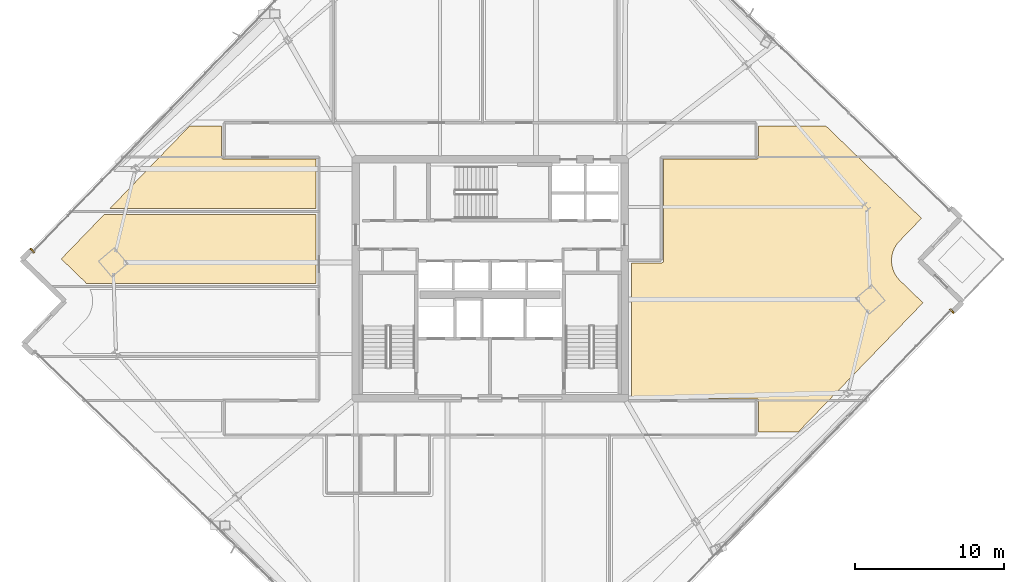
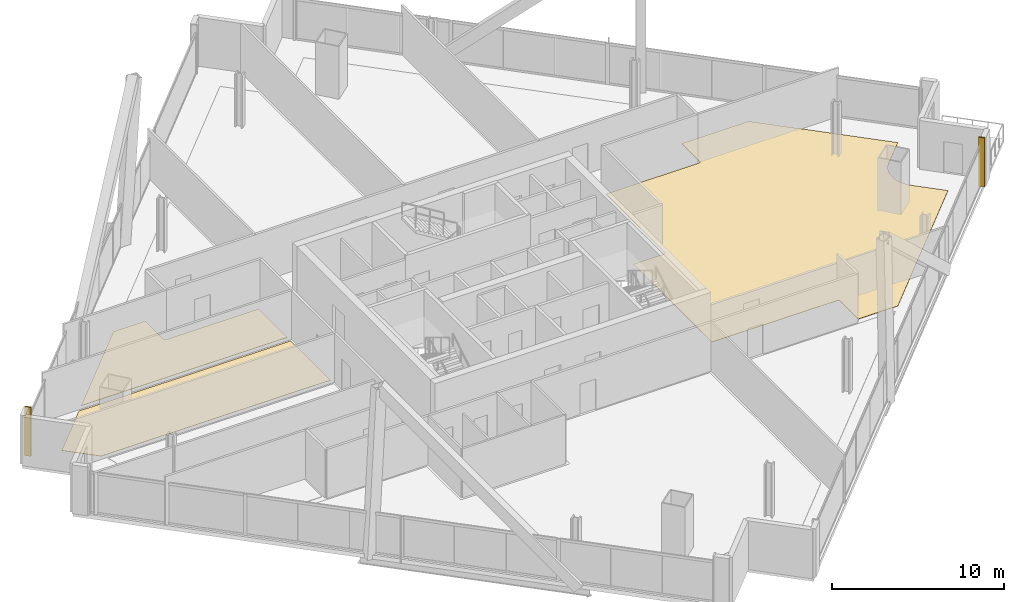
# One storey, part 31 of 33: 5 coverings.
"""IFC4 building model written with IfcOpenShell, lengths in metres."""

from ifc_helpers import new_model, si_unit, direction, frame, origin, origin_2d, place, context, subcontext, project, spatial, polyline, rectangle, outline, extrude, source, transform, mapped, material, layer, layer_set, type_object, element, save


model = new_model("IFC4")

# Units and contexts
model_context = context("Model", 3, precision=1e-05, world=origin(), true_north=direction((0.0, 1.0)))
body_context = subcontext(model_context, "Body", "Model", "MODEL_VIEW")
ifc_project = project(units=[si_unit("LENGTHUNIT", "METRE"), si_unit("AREAUNIT", "SQUARE_METRE"), si_unit("VOLUMEUNIT", "CUBIC_METRE"), si_unit("PLANEANGLEUNIT", "RADIAN"), si_unit("MASSUNIT", "GRAM", prefix="KILO")], contexts=[model_context])

# Site, building, storey
site_placement = place(None, origin())
site = spatial("IfcSite", under=ifc_project, at=site_placement, CompositionType="ELEMENT")
building_placement = place(site_placement, origin())
building = spatial("IfcBuilding", under=site, at=building_placement, Name="Haldenkirk Collegiate Tower", CompositionType="ELEMENT")
storey_placement = place(building_placement, frame((0.0, 0.0, 181.949951171875)))
storey = spatial("IfcBuildingStorey", under=building, at=storey_placement, Name="L45", CompositionType="ELEMENT", Elevation=181.949951171875)

# Coverings
ifc_material_1 = material(Name="Polished collegiate terrazzo", Category="concrete")
ifc_layer_1 = layer(ifc_material_1, 0.02490234375)
ifc_layer_set_1 = layer_set([ifc_layer_1], Name="Polished collegiate terrazzo")
covering_type_1 = type_object("IfcCoveringType", Name="COV-FLOOR-TERRAZZO", PredefinedType="FLOORING", material=ifc_layer_set_1)
covering_1_placement = place(storey_placement, origin())
element("IfcCovering", 1, at=covering_1_placement, inside=storey, type_object=covering_type_1, Name="L45 academic room finish 10", PredefinedType="FLOORING", context=body_context, shape_type="SweptSolid", body=[
    extrude(outline(polyline([(15.898681640625, 36.25), (18.030029296875, 36.25), (18.030029296875, 34.14990234375), (18.030517578125, 34.13818359375), (18.0322265625, 34.126708984375), (18.03515625, 34.115234375), (18.0390625, 34.10400390625), (18.044189453125, 34.093505859375), (18.05029296875, 34.083251953125), (18.05712890625, 34.073974609375), (18.065185546875, 34.065185546875), (18.073974609375, 34.05712890625), (18.083251953125, 34.05029296875), (18.093505859375, 34.044189453125), (18.10400390625, 34.0390625), (18.115234375, 34.03515625), (18.126708984375, 34.0322265625), (18.13818359375, 34.030517578125), (18.14990234375, 34.030029296875), (24.35009765625, 34.030029296875), (24.35009765625, 30.699951171875), (10.5390625, 30.699951171875), (15.898681640625, 36.25)])), origin(), (0.0, 0.0, 1.0), 0.025146484375),
])
ifc_material_2 = material(Name="Engineered collegiate oak acoustic flooring", Category="wood")
ifc_layer_2 = layer(ifc_material_2, 0.02197265625)
ifc_layer_set_2 = layer_set([ifc_layer_2], Name="Engineered collegiate oak acoustic flooring")
covering_type_2 = type_object("IfcCoveringType", Name="COV-FLOOR-TIMBER", PredefinedType="FLOORING", material=ifc_layer_set_2)
covering_2_placement = place(storey_placement, origin())
element("IfcCovering", 2, at=covering_2_placement, inside=storey, type_object=covering_type_2, Name="L45 academic room finish 09", PredefinedType="FLOORING", context=body_context, shape_type="SweptSolid", body=[
    extrude(outline(polyline([(8.95361328125, 25.7197265625), (8.94580078125, 25.728515625), (8.828369140625, 25.853759765625), (8.82421875, 25.85791015625), (7.2919921875, 27.337646484375), (10.152587890625, 30.300048828125), (24.35009765625, 30.300048828125), (24.35009765625, 25.699951171875), (8.96875, 25.699951171875), (8.95361328125, 25.7197265625)])), origin(), (0.0, 0.0, 1.0), 0.02197265625),
])
covering_3_placement = place(storey_placement, origin())
element("IfcCovering", 3, at=covering_3_placement, inside=storey, type_object=covering_type_2, Name="L45 academic room finish 11", PredefinedType="FLOORING", context=body_context, shape_type="SweptSolid", body=[
    extrude(outline(polyline([(63.3994140625, 28.525634765625), (63.3955078125, 28.521240234375), (63.2822265625, 28.39208984375), (63.27490234375, 28.3828125), (63.175048828125, 28.2431640625), (63.168701171875, 28.233154296875), (63.0830078125, 28.08447265625), (63.07763671875, 28.073974609375), (63.0068359375, 27.91748046875), (63.002685546875, 27.906494140625), (62.947509765625, 27.743896484375), (62.9443359375, 27.732421875), (62.905517578125, 27.565185546875), (62.9033203125, 27.553466796875), (62.881103515625, 27.38330078125), (62.88037109375, 27.37158203125), (62.875, 27.199951171875), (62.875, 27.18798828125), (62.886474609375, 27.0166015625), (62.8876953125, 27.005126953125), (62.916015625, 26.835693359375), (62.91845703125, 26.82421875), (62.963134765625, 26.658203125), (62.966796875, 26.64697265625), (63.027587890625, 26.486328125), (63.031982421875, 26.4755859375), (63.108154296875, 26.321533203125), (63.114013671875, 26.311279296875), (63.204833984375, 26.16552734375), (63.21142578125, 26.156005859375), (63.316162109375, 26.019775390625), (63.32373046875, 26.010986328125), (63.44140625, 25.885498046875), (63.445556640625, 25.88134765625), (64.977783203125, 24.40185546875), (56.622802734375, 15.75), (53.969970703125, 15.75), (53.969970703125, 17.85009765625), (53.969482421875, 17.86181640625), (53.9677734375, 17.873291015625), (53.96484375, 17.884765625), (53.9609375, 17.89599609375), (53.955810546875, 17.906494140625), (53.94970703125, 17.916748046875), (53.94287109375, 17.926025390625), (53.934814453125, 17.934814453125), (53.926025390625, 17.94287109375), (53.916748046875, 17.94970703125), (53.906494140625, 17.955810546875), (53.89599609375, 17.9609375), (53.884765625, 17.96484375), (53.873291015625, 17.9677734375), (53.86181640625, 17.969482421875), (53.85009765625, 17.969970703125), (45.449951171875, 17.969970703125), (45.449951171875, 27.080078125), (47.5, 27.080078125), (47.51171875, 27.08056640625), (47.5234375, 27.082275390625), (47.534912109375, 27.085205078125), (47.5458984375, 27.089111328125), (47.556640625, 27.09423828125), (47.566650390625, 27.10009765625), (47.576171875, 27.107177734375), (47.5849609375, 27.114990234375), (47.5927734375, 27.123779296875), (47.599853515625, 27.13330078125), (47.605712890625, 27.143310546875), (47.61083984375, 27.154052734375), (47.61474609375, 27.165283203125), (47.61767578125, 27.176513671875), (47.619384765625, 27.188232421875), (47.6201171875, 27.199951171875), (47.6201171875, 34.030029296875), (53.85009765625, 34.030029296875), (53.86181640625, 34.030517578125), (53.873291015625, 34.0322265625), (53.884765625, 34.03515625), (53.89599609375, 34.0390625), (53.906494140625, 34.044189453125), (53.916748046875, 34.05029296875), (53.926025390625, 34.05712890625), (53.934814453125, 34.065185546875), (53.94287109375, 34.073974609375), (53.94970703125, 34.083251953125), (53.955810546875, 34.093505859375), (53.9609375, 34.10400390625), (53.96484375, 34.115234375), (53.9677734375, 34.126708984375), (53.969482421875, 34.13818359375), (53.969970703125, 34.14990234375), (53.969970703125, 36.25), (58.466796875, 36.25), (64.87890625, 30.057861328125), (63.3994140625, 28.525634765625)])), origin(), (0.0, 0.0, 1.0), 0.02197265625),
])
ifc_material_3 = material(Name="Anodised architectural bronze aluminium", Category="aluminium")
ifc_layer_3 = layer(ifc_material_3, 0.06005859375)
ifc_layer_set_3 = layer_set([ifc_layer_3], Name="Anodised architectural bronze aluminium")
covering_type_3 = type_object("IfcCoveringType", Name="COV-CLAD-BRONZE-60", PredefinedType="CLADDING", material=ifc_layer_set_3)
shared_shape = source(origin(), body_context, "Body", "SweptSolid", [
    extrude(rectangle(XDim=0.10009765625, YDim=0.3798828125, at=origin_2d()), origin(), (0.0, 0.0, 1.0), 3.4599609375),
])
for number, where, z_axis, x_axis, name in (
    (4, (66.9111328125, 23.841552734375, 0.0), (0.0, 0.0, 1.0), (-0.694658370459, -0.719339800339, 0.0), "L45 recessed curtain-wall bronze jamb closure SJL"),
    (5, (5.358642578125, 27.89794921875, 0.0), (0.0, 0.0, 1.0), (0.694658370459, 0.719339800339, 0.0), "L45 recessed curtain-wall bronze jamb closure NJL"),
):
    element("IfcCovering", number, at=place(storey_placement, frame(where, z_axis=z_axis, x_axis=x_axis)), inside=storey, type_object=covering_type_3, Name=name, PredefinedType="CLADDING", context=body_context, shape_type="MappedRepresentation", body=[
        mapped(shared_shape, transform((0.0, 0.0, 0.0), x_axis=(1.0, 0.0, 0.0), y_axis=(0.0, 1.0, 0.0), z_axis=(0.0, 0.0, 1.0), scale=1.0)),
    ])

save(model, "model.ifc")
